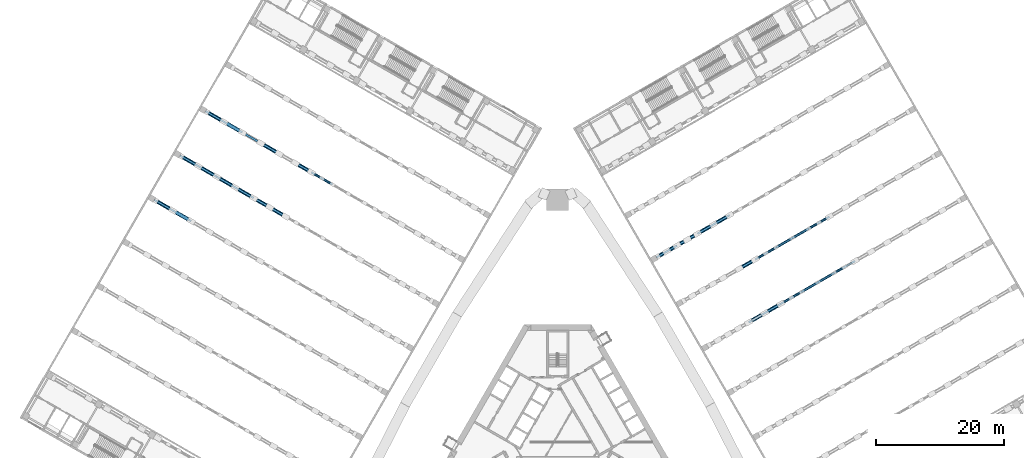
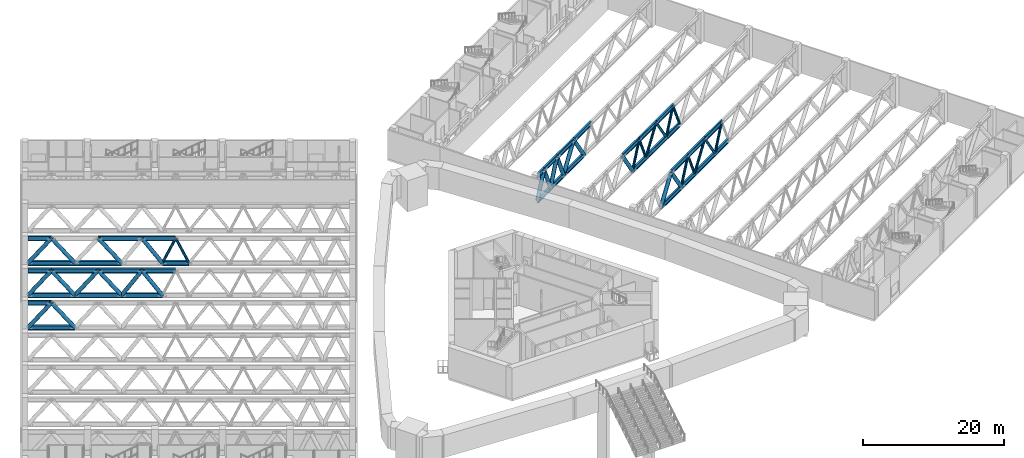
# One storey, part 6 of 37: 69 members.
"""IFC4 building model written with IfcOpenShell, lengths in metres."""

import ifcopenshell
import ifcopenshell.guid

model = None  # the IFC model being written
_history = None  # IfcOwnerHistory: only IFC2X3 demands one
_inside = {}  # id of a spatial element -> (the spatial element, [elements in it])
_under = {}  # id of a project, library or spatial element -> (it, [spatial elements below it])
_declared = {}  # id of a project -> (the project, [libraries it declares])
_typed = {}  # id of a type object -> (the type object, [elements of that type])
_made_of = {}  # id of a material, layer set ... -> (it, [elements and type objects made of it])


def new_model(schema):
    """Start an empty IFC model of exactly this schema.

    Asked for "IFC4X3", IfcOpenShell would pick the latest addendum, in which some entities
    have other attributes; the version numbers below select the first issue.
    IFC2X3 requires an IfcOwnerHistory on every rooted entity: one is made here for all.
    """
    global model, _history
    if schema == "IFC4X3":
        model = ifcopenshell.file(schema_version=(4, 3, 0, 0))
    else:
        model = ifcopenshell.file(schema=schema)
    _inside.clear()
    _under.clear()
    _declared.clear()
    _typed.clear()
    _made_of.clear()
    _history = None
    if model.schema == "IFC2X3":
        org = make("IfcOrganization", Name="unknown")
        user = make(
            "IfcPersonAndOrganization",
            ThePerson=make("IfcPerson", FamilyName="unknown"),
            TheOrganization=org,
        )
        app = make(
            "IfcApplication",
            ApplicationDeveloper=org,
            Version="unknown",
            ApplicationFullName="unknown",
            ApplicationIdentifier="unknown",
        )
        _history = make(
            "IfcOwnerHistory",
            OwningUser=user,
            OwningApplication=app,
            ChangeAction="ADDED",
            CreationDate=0,
        )
    return model


def make(cls, **values):
    """One entity of the class cls with the attributes given. An attribute that is None is left unset."""
    return model.create_entity(
        cls, **{name: value for name, value in values.items() if value is not None}
    )


def rooted(cls, **values):
    """An entity with a GlobalId (a new one), such as an element, a storey or a relation."""
    return make(cls, GlobalId=ifcopenshell.guid.new(), OwnerHistory=_history, **values)


def si_unit(unit_type, name, prefix=None):
    """IfcSIUnit, for example si_unit("LENGTHUNIT", "METRE", prefix="MILLI")."""
    return make("IfcSIUnit", UnitType=unit_type, Prefix=prefix, Name=name)


def assignment(units):
    """IfcUnitAssignment: the units of a project."""
    return None if units is None else make("IfcUnitAssignment", Units=units)


def point(xyz):
    """IfcCartesianPoint."""
    return None if xyz is None else make("IfcCartesianPoint", Coordinates=xyz)


def direction(xyz):
    """IfcDirection."""
    return None if xyz is None else make("IfcDirection", DirectionRatios=xyz)


def frame(location, z_axis=None, x_axis=None):
    """IfcAxis2Placement3D, a coordinate frame: its origin and axes. An axis left out is left unset."""
    return make(
        "IfcAxis2Placement3D",
        Location=point(location),
        Axis=direction(z_axis),
        RefDirection=direction(x_axis),
    )


def frame_2d(location, x_axis=None):
    """IfcAxis2Placement2D, a coordinate frame in the plane: its origin and x axis."""
    return make(
        "IfcAxis2Placement2D", Location=point(location), RefDirection=direction(x_axis)
    )


def origin():
    """The frame at (0, 0, 0) with its axes left unset."""
    return frame((0.0, 0.0, 0.0))


def origin_2d():
    """The frame at (0, 0) in the plane with its x axis left unset."""
    return frame_2d((0.0, 0.0))


def place(relative_to, where):
    """IfcLocalPlacement: puts the frame where relative to a parent placement (None: the world)."""
    return make(
        "IfcLocalPlacement", PlacementRelTo=relative_to, RelativePlacement=where
    )


def context(
    kind, dimensions, precision=None, world=None, true_north=None, identifier=None
):
    """IfcGeometricRepresentationContext, for example the 3D "Model" context."""
    return make(
        "IfcGeometricRepresentationContext",
        ContextIdentifier=identifier,
        ContextType=kind,
        CoordinateSpaceDimension=dimensions,
        Precision=precision,
        WorldCoordinateSystem=world,
        TrueNorth=true_north,
    )


def subcontext(parent, identifier, kind, view, scale=None):
    """IfcGeometricRepresentationSubContext, for example "Body" below "Model"."""
    return make(
        "IfcGeometricRepresentationSubContext",
        ContextIdentifier=identifier,
        ContextType=kind,
        ParentContext=parent,
        TargetScale=scale,
        TargetView=view,
    )


def project(units=None, contexts=None):
    """IfcProject with its units and contexts."""
    return rooted(
        "IfcProject",
        Name="project",
        RepresentationContexts=contexts,
        UnitsInContext=assignment(units),
    )


def spatial(cls, under=None, at=None, **own):
    """A site, building, storey or space (cls), placed at a placement, below another one or the project."""
    s = rooted(cls, ObjectPlacement=at, **own)
    if under is not None:
        _under.setdefault(under.id(), (under, []))[1].append(s)
    return s


def profile(cls, at=None, kind="AREA", **sizes):
    """A parametric profile (cls). Its sizes go by their IFC names, for example OverallWidth=200.0."""
    return make(cls, ProfileType=kind, Position=at, **sizes)


def hollow_circle(**sizes):
    """IfcCircleHollowProfileDef."""
    return profile("IfcCircleHollowProfileDef", **sizes)


def i_section(**sizes):
    """IfcIShapeProfileDef."""
    return profile("IfcIShapeProfileDef", **sizes)


def extrude(swept, where, along, depth):
    """IfcExtrudedAreaSolid: the profile swept, set in the frame where, extruded along a direction by depth."""
    return make(
        "IfcExtrudedAreaSolid",
        SweptArea=swept,
        Position=where,
        ExtrudedDirection=direction(along),
        Depth=depth,
    )


def shape(context_of_items, identifier, shape_type, items):
    """IfcShapeRepresentation: the items that make up one representation, for example the "Body"."""
    return make(
        "IfcShapeRepresentation",
        ContextOfItems=context_of_items,
        RepresentationIdentifier=identifier,
        RepresentationType=shape_type,
        Items=items,
    )


def material(Name=None, Category=None):
    """IfcMaterial."""
    return make("IfcMaterial", Name=Name, Category=Category)


def material_profile(
    of_material, cross_section, Name=None, Category=None, Priority=None
):
    """IfcMaterialProfile: a cross section and its material."""
    return make(
        "IfcMaterialProfile",
        Name=Name,
        Material=of_material,
        Profile=cross_section,
        Priority=Priority,
        Category=Category,
    )


def profile_set(profiles, Name=None, composite=None):
    """IfcMaterialProfileSet."""
    return make(
        "IfcMaterialProfileSet",
        Name=Name,
        MaterialProfiles=profiles,
        CompositeProfile=composite,
    )


def made_of(thing, what):
    """Note that an element or type object is made of a material, layer set ...; save() writes the relation."""
    if what is not None:
        _made_of.setdefault(what.id(), (what, []))[1].append(thing)
    return thing


def type_object(cls, material=None, **own):
    """A type object (cls), such as IfcWallType, which elements share."""
    return made_of(rooted(cls, **own), material)


def element(
    cls,
    number,
    at=None,
    inside=None,
    cuts=None,
    type_object=None,
    material=None,
    context=None,
    identifier="Body",
    shape_type=None,
    held_by="IfcProductDefinitionShape",
    body=None,
    shapes=None,
    **own,
):
    """One element of the class cls, such as IfcWall. Its Tag is "e" and its number.

    at: its placement. inside: the storey or other place that contains it. cuts: it is an
    opening in that element (IfcRelVoidsElement). A single representation is given by context,
    identifier, shape_type and body (its items); several are given by shapes. held_by: the class
    of the entity that holds the representations. save() writes the other relations.
    """
    e = rooted(cls, Tag="e%d" % number, ObjectPlacement=at, **own)
    if body is not None:
        shapes = [shape(context, identifier, shape_type, body)]
    if shapes is not None:
        e.Representation = make(held_by, Representations=shapes)
    if inside is not None:
        _inside.setdefault(inside.id(), (inside, []))[1].append(e)
    if cuts is not None:
        rooted(
            "IfcRelVoidsElement", RelatingBuildingElement=cuts, RelatedOpeningElement=e
        )
    if type_object is not None:
        _typed.setdefault(type_object.id(), (type_object, []))[1].append(e)
    return made_of(e, material)


def aggregate(whole, parts):
    """IfcRelAggregates: a whole, such as a stair, and the parts it consists of."""
    return rooted("IfcRelAggregates", RelatingObject=whole, RelatedObjects=parts)


def save(model, path):
    """Write the relations noted so far, then the file.

    IfcRelAggregates (storeys below a building ...), IfcRelContainedInSpatialStructure (elements
    in a storey), IfcRelDefinesByType, IfcRelAssociatesMaterial and IfcRelDeclares: one each for
    every whole, place, type object, material and project.
    """
    for whole, parts in _under.values():
        aggregate(whole, parts)
    for where, things in _inside.values():
        rooted(
            "IfcRelContainedInSpatialStructure",
            RelatedElements=things,
            RelatingStructure=where,
        )
    for kind, things in _typed.values():
        rooted("IfcRelDefinesByType", RelatedObjects=things, RelatingType=kind)
    for what, things in _made_of.values():
        rooted("IfcRelAssociatesMaterial", RelatedObjects=things, RelatingMaterial=what)
    for by, libraries in _declared.values():
        rooted("IfcRelDeclares", RelatingContext=by, RelatedDefinitions=libraries)
    model.write(path)


model = new_model("IFC4")

# Units and contexts
model_context = context("Model", 3, precision=1e-05, world=origin(), true_north=direction((0.0, 1.0)))
body_context = subcontext(model_context, "Body", "Model", "MODEL_VIEW")
ifc_project = project(units=[si_unit("LENGTHUNIT", "METRE"), si_unit("AREAUNIT", "SQUARE_METRE"), si_unit("VOLUMEUNIT", "CUBIC_METRE"), si_unit("PLANEANGLEUNIT", "RADIAN"), si_unit("MASSUNIT", "GRAM", prefix="KILO")], contexts=[model_context])

# Site, building, storey
site_placement = place(None, origin())
site = spatial("IfcSite", under=ifc_project, at=site_placement, CompositionType="ELEMENT")
building_placement = place(site_placement, origin())
building = spatial("IfcBuilding", under=site, at=building_placement, Name="Mestral Congress Tower", CompositionType="ELEMENT")
storey_placement = place(building_placement, frame((0.0, 0.0, 16.199951171875)))
storey = spatial("IfcBuildingStorey", under=building, at=storey_placement, Name="L03", CompositionType="ELEMENT", Elevation=16.199951171875)

# Members
ifc_material = material(Name="Steel S355", Category="steel")
ifc_material_profile_1 = material_profile(ifc_material, i_section(OverallWidth=0.300048828125, OverallDepth=0.800048828125, WebThickness=0.017578125, FlangeThickness=0.032958984375, FilletRadius=0.030029296875, at=origin_2d()), Name="HEB 800")
ifc_profile_set_1 = profile_set([ifc_material_profile_1], Name="Steel S355")
member_type_1 = type_object("IfcMemberType", Name="Truss chord HEB 800 S355", PredefinedType="CHORD", material=ifc_profile_set_1)
member_1_placement = place(storey_placement, frame((29.85888671875, 17.239013671875, 0.400146484375), z_axis=(0.866032775405, 0.499987231761, 0.0), x_axis=(-0.499987231761, 0.866032775405, 0.0)))
element("IfcMember", 1, at=member_1_placement, inside=storey, type_object=member_type_1, Name="MB-E-T5-BC03", PredefinedType="CHORD", context=body_context, shape_type="SweptSolid", body=[
    extrude(i_section(OverallWidth=0.300048828125, OverallDepth=0.800048828125, WebThickness=0.017578125, FlangeThickness=0.032958984375, FilletRadius=0.030029296875, at=origin_2d()), origin(), (0.0, 0.0, 1.0), 5.800048828125),
])
member_2_placement = place(storey_placement, frame((34.8818359375, 20.138916015625, 0.400146484375), z_axis=(0.866000483506, 0.500043160704, 0.0), x_axis=(-0.500043160704, 0.866000483506, 0.0)))
element("IfcMember", 2, at=member_2_placement, inside=storey, type_object=member_type_1, Name="MB-E-T5-BC04", PredefinedType="CHORD", context=body_context, shape_type="SweptSolid", body=[
    extrude(i_section(OverallWidth=0.300048828125, OverallDepth=0.800048828125, WebThickness=0.017578125, FlangeThickness=0.032958984375, FilletRadius=0.030029296875, at=origin_2d()), origin(), (0.0, 0.0, 1.0), 3.800048828125),
])
member_3_placement = place(storey_placement, frame((38.172607421875, 22.0390625, 0.400146484375), z_axis=(0.866032775405, 0.499987231761, 0.0), x_axis=(-0.499987231761, 0.866032775405, 0.0)))
element("IfcMember", 3, at=member_3_placement, inside=storey, type_object=member_type_1, Name="MB-E-T5-BC05", PredefinedType="CHORD", context=body_context, shape_type="SweptSolid", body=[
    extrude(i_section(OverallWidth=0.300048828125, OverallDepth=0.800048828125, WebThickness=0.017578125, FlangeThickness=0.032958984375, FilletRadius=0.030029296875, at=origin_2d()), origin(), (0.0, 0.0, 1.0), 5.800048828125),
])
member_4_placement = place(storey_placement, frame((43.195556640625, 24.93896484375, 0.400146484375), z_axis=(0.86601654697, 0.500015340139, 0.0), x_axis=(-0.500015340139, 0.86601654697, 0.0)))
element("IfcMember", 4, at=member_4_placement, inside=storey, type_object=member_type_1, Name="MB-E-T5-BC06", PredefinedType="CHORD", context=body_context, shape_type="SweptSolid", body=[
    extrude(i_section(OverallWidth=0.300048828125, OverallDepth=0.800048828125, WebThickness=0.017578125, FlangeThickness=0.032958984375, FilletRadius=0.030029296875, at=origin_2d()), origin(), (0.0, 0.0, 1.0), 3.80029296875),
])
member_5_placement = place(storey_placement, frame((32.370361328125, 18.68896484375, 4.699951171875), z_axis=(0.866002622515, 0.50003945624, 0.0), x_axis=(-0.50003945624, 0.866002622515, 0.0)))
element("IfcMember", 5, at=member_5_placement, inside=storey, type_object=member_type_1, Name="MB-E-T5-TC04", PredefinedType="CHORD", context=body_context, shape_type="SweptSolid", body=[
    extrude(i_section(OverallWidth=0.300048828125, OverallDepth=0.800048828125, WebThickness=0.017578125, FlangeThickness=0.032958984375, FilletRadius=0.030029296875, at=origin_2d()), origin(), (0.0, 0.0, 1.0), 4.7998046875),
])
for number, where, z_axis, x_axis, name in (
    (6, (36.527099609375, 21.089111328125, 4.699951171875), (0.866037363387, 0.499979284789, 0.0), (-0.499979284789, 0.866037363387, 0.0), "MB-E-T5-TC05"),
    (7, (40.68408203125, 23.489013671875, 4.699951171875), (0.866037363387, 0.499979284789, 0.0), (-0.499979284789, 0.866037363387, 0.0), "MB-E-T5-TC06"),
):
    element("IfcMember", number, at=place(storey_placement, frame(where, z_axis=z_axis, x_axis=x_axis)), inside=storey, type_object=member_type_1, Name=name, PredefinedType="CHORD", context=body_context, shape_type="SweptSolid", body=[
        extrude(i_section(OverallWidth=0.300048828125, OverallDepth=0.800048828125, WebThickness=0.017578125, FlangeThickness=0.032958984375, FilletRadius=0.030029296875, at=origin_2d()), origin(), (0.0, 0.0, 1.0), 4.800048828125),
    ])
member_6_placement = place(storey_placement, frame((30.8818359375, 27.067138671875, 0.400146484375), z_axis=(0.866000483506, 0.500043160704, 0.0), x_axis=(-0.500043160704, 0.866000483506, 0.0)))
element("IfcMember", 8, at=member_6_placement, inside=storey, type_object=member_type_1, Name="MB-E-T6-BC04", PredefinedType="CHORD", context=body_context, shape_type="SweptSolid", body=[
    extrude(i_section(OverallWidth=0.300048828125, OverallDepth=0.800048828125, WebThickness=0.017578125, FlangeThickness=0.032958984375, FilletRadius=0.030029296875, at=origin_2d()), origin(), (0.0, 0.0, 1.0), 3.800048828125),
])
member_7_placement = place(storey_placement, frame((34.172607421875, 28.96728515625, 0.400146484375), z_axis=(0.866032775405, 0.499987231761, 0.0), x_axis=(-0.499987231761, 0.866032775405, 0.0)))
element("IfcMember", 9, at=member_7_placement, inside=storey, type_object=member_type_1, Name="MB-E-T6-BC05", PredefinedType="CHORD", context=body_context, shape_type="SweptSolid", body=[
    extrude(i_section(OverallWidth=0.300048828125, OverallDepth=0.800048828125, WebThickness=0.017578125, FlangeThickness=0.032958984375, FilletRadius=0.030029296875, at=origin_2d()), origin(), (0.0, 0.0, 1.0), 5.800048828125),
])
member_8_placement = place(storey_placement, frame((39.195556640625, 31.8671875, 0.400146484375), z_axis=(0.866044365799, 0.499967155389, 0.0), x_axis=(-0.499967155389, 0.866044365799, 0.0)))
element("IfcMember", 10, at=member_8_placement, inside=storey, type_object=member_type_1, Name="MB-E-T6-BC06", PredefinedType="CHORD", context=body_context, shape_type="SweptSolid", body=[
    extrude(i_section(OverallWidth=0.300048828125, OverallDepth=0.800048828125, WebThickness=0.017578125, FlangeThickness=0.032958984375, FilletRadius=0.030029296875, at=origin_2d()), origin(), (0.0, 0.0, 1.0), 3.800048828125),
])
member_9_placement = place(storey_placement, frame((28.370361328125, 25.6171875, 4.699951171875), z_axis=(0.866024647952, 0.500001309137, 0.0), x_axis=(-0.500001309137, 0.866024647952, 0.0)))
element("IfcMember", 11, at=member_9_placement, inside=storey, type_object=member_type_1, Name="MB-E-T6-TC04", PredefinedType="CHORD", context=body_context, shape_type="SweptSolid", body=[
    extrude(i_section(OverallWidth=0.300048828125, OverallDepth=0.800048828125, WebThickness=0.017578125, FlangeThickness=0.032958984375, FilletRadius=0.030029296875, at=origin_2d()), origin(), (0.0, 0.0, 1.0), 4.7998046875),
])
for number, where, z_axis, x_axis, name in (
    (12, (32.527099609375, 28.01708984375, 4.699951171875), (0.866015339567, 0.500017431331, 0.0), (-0.500017431331, 0.866015339567, 0.0), "MB-E-T6-TC05"),
    (13, (36.68408203125, 30.417236328125, 4.699951171875), (0.866037363387, 0.499979284789, 0.0), (-0.499979284789, 0.866037363387, 0.0), "MB-E-T6-TC06"),
):
    element("IfcMember", number, at=place(storey_placement, frame(where, z_axis=z_axis, x_axis=x_axis)), inside=storey, type_object=member_type_1, Name=name, PredefinedType="CHORD", context=body_context, shape_type="SweptSolid", body=[
        extrude(i_section(OverallWidth=0.300048828125, OverallDepth=0.800048828125, WebThickness=0.017578125, FlangeThickness=0.032958984375, FilletRadius=0.030029296875, at=origin_2d()), origin(), (0.0, 0.0, 1.0), 4.800048828125),
    ])
member_10_placement = place(storey_placement, frame((15.4501953125, 27.3955078125, 0.400146484375), z_axis=(0.866046040199, 0.499964254978, 0.0), x_axis=(-0.499964254978, 0.866046040199, 0.0)))
element("IfcMember", 14, at=member_10_placement, inside=storey, type_object=member_type_1, Name="MB-E-T7-BC01", PredefinedType="CHORD", context=body_context, shape_type="SweptSolid", body=[
    extrude(i_section(OverallWidth=0.300048828125, OverallDepth=0.800048828125, WebThickness=0.017578125, FlangeThickness=0.032958984375, FilletRadius=0.030029296875, at=origin_2d()), origin(), (0.0, 0.0, 1.0), 3.699951171875),
])
member_11_placement = place(storey_placement, frame((18.654541015625, 29.245361328125, 0.400146484375), z_axis=(0.86601746898, 0.500013743233, 0.0), x_axis=(-0.500013743233, 0.86601746898, 0.0)))
element("IfcMember", 15, at=member_11_placement, inside=storey, type_object=member_type_1, Name="MB-E-T7-BC02", PredefinedType="CHORD", context=body_context, shape_type="SweptSolid", body=[
    extrude(i_section(OverallWidth=0.300048828125, OverallDepth=0.800048828125, WebThickness=0.017578125, FlangeThickness=0.032958984375, FilletRadius=0.030029296875, at=origin_2d()), origin(), (0.0, 0.0, 1.0), 3.7001953125),
])
member_12_placement = place(storey_placement, frame((21.85888671875, 31.095458984375, 0.400146484375), z_axis=(0.866032775405, 0.499987231761, 0.0), x_axis=(-0.499987231761, 0.866032775405, 0.0)))
element("IfcMember", 16, at=member_12_placement, inside=storey, type_object=member_type_1, Name="MB-E-T7-BC03", PredefinedType="CHORD", context=body_context, shape_type="SweptSolid", body=[
    extrude(i_section(OverallWidth=0.300048828125, OverallDepth=0.800048828125, WebThickness=0.017578125, FlangeThickness=0.032958984375, FilletRadius=0.030029296875, at=origin_2d()), origin(), (0.0, 0.0, 1.0), 5.800048828125),
])
member_13_placement = place(storey_placement, frame((15.4501953125, 27.3955078125, 4.699951171875), z_axis=(0.866091100096, 0.499886193382, 0.0), x_axis=(-0.499886193382, 0.866091100096, 0.0)))
element("IfcMember", 17, at=member_13_placement, inside=storey, type_object=member_type_1, Name="MB-E-T7-TC01", PredefinedType="CHORD", context=body_context, shape_type="SweptSolid", body=[
    extrude(i_section(OverallWidth=0.300048828125, OverallDepth=0.800048828125, WebThickness=0.017578125, FlangeThickness=0.032958984375, FilletRadius=0.030029296875, at=origin_2d()), origin(), (0.0, 0.0, 1.0), 1.85009765625),
])
member_14_placement = place(storey_placement, frame((17.052490234375, 28.3203125, 4.699951171875), z_axis=(0.866000971088, 0.500042316284, 0.0), x_axis=(-0.500042316284, 0.866000971088, 0.0)))
element("IfcMember", 18, at=member_14_placement, inside=storey, type_object=member_type_1, Name="MB-E-T7-TC02", PredefinedType="CHORD", context=body_context, shape_type="SweptSolid", body=[
    extrude(i_section(OverallWidth=0.300048828125, OverallDepth=0.800048828125, WebThickness=0.017578125, FlangeThickness=0.032958984375, FilletRadius=0.030029296875, at=origin_2d()), origin(), (0.0, 0.0, 1.0), 3.699951171875),
])
member_15_placement = place(storey_placement, frame((20.256591796875, 30.17041015625, 4.699951171875), z_axis=(0.866033238375, 0.499986429846, 0.0), x_axis=(-0.499986429846, 0.866033238375, 0.0)))
element("IfcMember", 19, at=member_15_placement, inside=storey, type_object=member_type_1, Name="MB-E-T7-TC03", PredefinedType="CHORD", context=body_context, shape_type="SweptSolid", body=[
    extrude(i_section(OverallWidth=0.300048828125, OverallDepth=0.800048828125, WebThickness=0.017578125, FlangeThickness=0.032958984375, FilletRadius=0.030029296875, at=origin_2d()), origin(), (0.0, 0.0, 1.0), 4.750244140625),
])
member_16_placement = place(storey_placement, frame((24.370361328125, 32.54541015625, 4.699951171875), z_axis=(0.866024647952, 0.500001309137, 0.0), x_axis=(-0.500001309137, 0.866024647952, 0.0)))
element("IfcMember", 20, at=member_16_placement, inside=storey, type_object=member_type_1, Name="MB-E-T7-TC04", PredefinedType="CHORD", context=body_context, shape_type="SweptSolid", body=[
    extrude(i_section(OverallWidth=0.300048828125, OverallDepth=0.800048828125, WebThickness=0.017578125, FlangeThickness=0.032958984375, FilletRadius=0.030029296875, at=origin_2d()), origin(), (0.0, 0.0, 1.0), 4.7998046875),
])
member_17_placement = place(storey_placement, frame((-35.195556640625, 38.79541015625, 0.400146484375), z_axis=(-0.866044365799, 0.499967155389, 0.0), x_axis=(-0.499967155389, -0.866044365799, 0.0)))
element("IfcMember", 21, at=member_17_placement, inside=storey, type_object=member_type_1, Name="MB-W-T3-BC06", PredefinedType="CHORD", context=body_context, shape_type="SweptSolid", body=[
    extrude(i_section(OverallWidth=0.300048828125, OverallDepth=0.800048828125, WebThickness=0.017578125, FlangeThickness=0.032958984375, FilletRadius=0.030029296875, at=origin_2d()), origin(), (0.0, 0.0, 1.0), 3.800048828125),
])
for number, where, z_axis, x_axis, name in (
    (22, (-43.509521484375, 43.595458984375, 0.400146484375), (-0.866027239912, 0.49999681972, 0.0), (-0.49999681972, -0.866027239912, 0.0), "MB-W-T3-BC08"),
    (23, (-49.2685546875, 46.92041015625, 0.400146484375), (-0.866027239912, 0.49999681972, 0.0), (-0.49999681972, -0.866027239912, 0.0), "MB-W-T3-BC09"),
):
    element("IfcMember", number, at=place(storey_placement, frame(where, z_axis=z_axis, x_axis=x_axis)), inside=storey, type_object=member_type_1, Name=name, PredefinedType="CHORD", context=body_context, shape_type="SweptSolid", body=[
        extrude(i_section(OverallWidth=0.300048828125, OverallDepth=0.800048828125, WebThickness=0.017578125, FlangeThickness=0.032958984375, FilletRadius=0.030029296875, at=origin_2d()), origin(), (0.0, 0.0, 1.0), 6.64990234375),
    ])
member_18_placement = place(storey_placement, frame((-36.841064453125, 39.745361328125, 4.699951171875), z_axis=(-0.866015339567, 0.500017431331, 0.0), x_axis=(-0.500017431331, -0.866015339567, 0.0)))
element("IfcMember", 24, at=member_18_placement, inside=storey, type_object=member_type_1, Name="MB-W-T3-TC07", PredefinedType="CHORD", context=body_context, shape_type="SweptSolid", body=[
    extrude(i_section(OverallWidth=0.300048828125, OverallDepth=0.800048828125, WebThickness=0.017578125, FlangeThickness=0.032958984375, FilletRadius=0.030029296875, at=origin_2d()), origin(), (0.0, 0.0, 1.0), 4.800048828125),
])
member_19_placement = place(storey_placement, frame((-40.998046875, 42.1455078125, 4.699951171875), z_axis=(-0.866033407698, 0.499986136558, 0.0), x_axis=(-0.499986136558, -0.866033407698, 0.0)))
element("IfcMember", 25, at=member_19_placement, inside=storey, type_object=member_type_1, Name="MB-W-T3-TC08", PredefinedType="CHORD", context=body_context, shape_type="SweptSolid", body=[
    extrude(i_section(OverallWidth=0.300048828125, OverallDepth=0.800048828125, WebThickness=0.017578125, FlangeThickness=0.032958984375, FilletRadius=0.030029296875, at=origin_2d()), origin(), (0.0, 0.0, 1.0), 6.224853515625),
])
member_20_placement = place(storey_placement, frame((-52.148193359375, 48.5830078125, 4.699951171875), z_axis=(-0.866033959199, 0.499985181294, 0.0), x_axis=(-0.499985181294, -0.866033959199, 0.0)))
element("IfcMember", 26, at=member_20_placement, inside=storey, type_object=member_type_1, Name="MB-W-T3-TC10", PredefinedType="CHORD", context=body_context, shape_type="SweptSolid", body=[
    extrude(i_section(OverallWidth=0.300048828125, OverallDepth=0.800048828125, WebThickness=0.017578125, FlangeThickness=0.032958984375, FilletRadius=0.030029296875, at=origin_2d()), origin(), (0.0, 0.0, 1.0), 3.32470703125),
])
member_21_placement = place(storey_placement, frame((-42.486572265625, 33.76708984375, 0.400146484375), z_axis=(-0.86601454848, 0.500018801468, 0.0), x_axis=(-0.500018801468, -0.86601454848, 0.0)))
element("IfcMember", 27, at=member_21_placement, inside=storey, type_object=member_type_1, Name="MB-W-T4-BC07", PredefinedType="CHORD", context=body_context, shape_type="SweptSolid", body=[
    extrude(i_section(OverallWidth=0.300048828125, OverallDepth=0.800048828125, WebThickness=0.017578125, FlangeThickness=0.032958984375, FilletRadius=0.030029296875, at=origin_2d()), origin(), (0.0, 0.0, 1.0), 5.800048828125),
])
for number, where, z_axis, x_axis, name in (
    (28, (-47.509521484375, 36.667236328125, 0.400146484375), (-0.866027239912, 0.49999681972, 0.0), (-0.49999681972, -0.866027239912, 0.0), "MB-W-T4-BC08"),
    (29, (-53.2685546875, 39.9921875, 0.400146484375), (-0.866027239912, 0.49999681972, 0.0), (-0.49999681972, -0.866027239912, 0.0), "MB-W-T4-BC09"),
):
    element("IfcMember", number, at=place(storey_placement, frame(where, z_axis=z_axis, x_axis=x_axis)), inside=storey, type_object=member_type_1, Name=name, PredefinedType="CHORD", context=body_context, shape_type="SweptSolid", body=[
        extrude(i_section(OverallWidth=0.300048828125, OverallDepth=0.800048828125, WebThickness=0.017578125, FlangeThickness=0.032958984375, FilletRadius=0.030029296875, at=origin_2d()), origin(), (0.0, 0.0, 1.0), 6.64990234375),
    ])
member_22_placement = place(storey_placement, frame((-40.841064453125, 32.817138671875, 4.699951171875), z_axis=(-0.866015339567, 0.500017431331, 0.0), x_axis=(-0.500017431331, -0.866015339567, 0.0)))
element("IfcMember", 30, at=member_22_placement, inside=storey, type_object=member_type_1, Name="MB-W-T4-TC07", PredefinedType="CHORD", context=body_context, shape_type="SweptSolid", body=[
    extrude(i_section(OverallWidth=0.300048828125, OverallDepth=0.800048828125, WebThickness=0.017578125, FlangeThickness=0.032958984375, FilletRadius=0.030029296875, at=origin_2d()), origin(), (0.0, 0.0, 1.0), 4.800048828125),
])
member_23_placement = place(storey_placement, frame((-44.998046875, 35.21728515625, 4.699951171875), z_axis=(-0.866033407698, 0.499986136558, 0.0), x_axis=(-0.499986136558, -0.866033407698, 0.0)))
element("IfcMember", 31, at=member_23_placement, inside=storey, type_object=member_type_1, Name="MB-W-T4-TC08", PredefinedType="CHORD", context=body_context, shape_type="SweptSolid", body=[
    extrude(i_section(OverallWidth=0.300048828125, OverallDepth=0.800048828125, WebThickness=0.017578125, FlangeThickness=0.032958984375, FilletRadius=0.030029296875, at=origin_2d()), origin(), (0.0, 0.0, 1.0), 6.224853515625),
])
member_24_placement = place(storey_placement, frame((-50.388916015625, 38.32958984375, 4.699951171875), z_axis=(-0.866020521143, 0.500008456887, 0.0), x_axis=(-0.500008456887, -0.866020521143, 0.0)))
element("IfcMember", 32, at=member_24_placement, inside=storey, type_object=member_type_1, Name="MB-W-T4-TC09", PredefinedType="CHORD", context=body_context, shape_type="SweptSolid", body=[
    extrude(i_section(OverallWidth=0.300048828125, OverallDepth=0.800048828125, WebThickness=0.017578125, FlangeThickness=0.032958984375, FilletRadius=0.030029296875, at=origin_2d()), origin(), (0.0, 0.0, 1.0), 6.650390625),
])
member_25_placement = place(storey_placement, frame((-56.148193359375, 41.65478515625, 4.699951171875), z_axis=(-0.866033959199, 0.499985181294, 0.0), x_axis=(-0.499985181294, -0.866033959199, 0.0)))
element("IfcMember", 33, at=member_25_placement, inside=storey, type_object=member_type_1, Name="MB-W-T4-TC10", PredefinedType="CHORD", context=body_context, shape_type="SweptSolid", body=[
    extrude(i_section(OverallWidth=0.300048828125, OverallDepth=0.800048828125, WebThickness=0.017578125, FlangeThickness=0.032958984375, FilletRadius=0.030029296875, at=origin_2d()), origin(), (0.0, 0.0, 1.0), 3.32470703125),
])
member_26_placement = place(storey_placement, frame((-57.2685546875, 33.06396484375, 0.400146484375), z_axis=(-0.866027239912, 0.49999681972, 0.0), x_axis=(-0.49999681972, -0.866027239912, 0.0)))
element("IfcMember", 34, at=member_26_placement, inside=storey, type_object=member_type_1, Name="MB-W-T5-BC09", PredefinedType="CHORD", context=body_context, shape_type="SweptSolid", body=[
    extrude(i_section(OverallWidth=0.300048828125, OverallDepth=0.800048828125, WebThickness=0.017578125, FlangeThickness=0.032958984375, FilletRadius=0.030029296875, at=origin_2d()), origin(), (0.0, 0.0, 1.0), 6.64990234375),
])
member_27_placement = place(storey_placement, frame((-60.148193359375, 34.7265625, 4.699951171875), z_axis=(-0.866033959199, 0.499985181294, 0.0), x_axis=(-0.499985181294, -0.866033959199, 0.0)))
element("IfcMember", 35, at=member_27_placement, inside=storey, type_object=member_type_1, Name="MB-W-T5-TC10", PredefinedType="CHORD", context=body_context, shape_type="SweptSolid", body=[
    extrude(i_section(OverallWidth=0.300048828125, OverallDepth=0.800048828125, WebThickness=0.017578125, FlangeThickness=0.032958984375, FilletRadius=0.030029296875, at=origin_2d()), origin(), (0.0, 0.0, 1.0), 3.32470703125),
])
ifc_material_profile_2 = material_profile(ifc_material, hollow_circle(Radius=0.203125, WallThickness=0.01611328125, at=origin_2d()), Name="CHS 406.4x16")
ifc_profile_set_2 = profile_set([ifc_material_profile_2], Name="Steel S355")
member_type_2 = type_object("IfcMemberType", Name="Truss diagonal CHS 406.4x16 S355", PredefinedType="BRACE", material=ifc_profile_set_2)
for number, where, z_axis, x_axis, name in (
    (36, (34.8818359375, 20.138916015625, 0.400146484375), (0.349992064898, 0.202132232762, 0.914684707966), (-0.500119165741, 0.865956592479, 0.0), "MB-E-T5-D07"),
    (37, (36.527099609375, 21.089111328125, 4.699951171875), (0.350041311257, 0.202078745119, -0.914677681582), (-0.499967155389, 0.866044365799, 0.0), "MB-E-T5-D08"),
):
    element("IfcMember", number, at=place(storey_placement, frame(where, z_axis=z_axis, x_axis=x_axis)), inside=storey, type_object=member_type_2, Name=name, PredefinedType="BRACE", context=body_context, shape_type="SweptSolid", body=[
        extrude(hollow_circle(Radius=0.203125, WallThickness=0.01611328125, at=origin_2d()), origin(), (0.0, 0.0, 1.0), 4.700927734375),
    ])
for number, where, z_axis, x_axis, name in (
    (38, (38.172607421875, 22.0390625, 0.400146484375), (0.484247420666, 0.279570859467, 0.829062464544), (-0.499987231761, 0.866032775405, 0.0), "MB-E-T5-D09"),
    (39, (40.68408203125, 23.489013671875, 4.699951171875), (0.484247420666, 0.279570859467, -0.829062464544), (-0.499987231761, 0.866032775405, 0.0), "MB-E-T5-D10"),
):
    element("IfcMember", number, at=place(storey_placement, frame(where, z_axis=z_axis, x_axis=x_axis)), inside=storey, type_object=member_type_2, Name=name, PredefinedType="BRACE", context=body_context, shape_type="SweptSolid", body=[
        extrude(hollow_circle(Radius=0.203125, WallThickness=0.01611328125, at=origin_2d()), origin(), (0.0, 0.0, 1.0), 5.186279296875),
    ])
for number, where, z_axis, x_axis, name in (
    (40, (43.195556640625, 24.93896484375, 0.400146484375), (0.350041311257, 0.202078745119, 0.914677681582), (-0.499967155389, 0.866044365799, 0.0), "MB-E-T5-D11"),
    (41, (30.8818359375, 27.067138671875, 0.400146484375), (0.349995738631, 0.20208241861, 0.914694309061), (-0.500022797313, 0.86601224135, 0.0), "MB-E-T6-D07"),
    (42, (32.527099609375, 28.01708984375, 4.699951171875), (0.35003763718, 0.202128558443, -0.914668081011), (-0.500063520245, 0.865988727248, 0.0), "MB-E-T6-D08"),
):
    element("IfcMember", number, at=place(storey_placement, frame(where, z_axis=z_axis, x_axis=x_axis)), inside=storey, type_object=member_type_2, Name=name, PredefinedType="BRACE", context=body_context, shape_type="SweptSolid", body=[
        extrude(hollow_circle(Radius=0.203125, WallThickness=0.01611328125, at=origin_2d()), origin(), (0.0, 0.0, 1.0), 4.700927734375),
    ])
for number, where, z_axis, x_axis, name in (
    (43, (34.172607421875, 28.96728515625, 0.400146484375), (0.484247420666, 0.279570859467, 0.829062464544), (-0.499987231761, 0.866032775405, 0.0), "MB-E-T6-D09"),
    (44, (36.68408203125, 30.417236328125, 4.699951171875), (0.484247420666, 0.279570859467, -0.829062464544), (-0.499987231761, 0.866032775405, 0.0), "MB-E-T6-D10"),
):
    element("IfcMember", number, at=place(storey_placement, frame(where, z_axis=z_axis, x_axis=x_axis)), inside=storey, type_object=member_type_2, Name=name, PredefinedType="BRACE", context=body_context, shape_type="SweptSolid", body=[
        extrude(hollow_circle(Radius=0.203125, WallThickness=0.01611328125, at=origin_2d()), origin(), (0.0, 0.0, 1.0), 5.186279296875),
    ])
for number, where, z_axis, x_axis, name in (
    (45, (39.195556640625, 31.8671875, 0.400146484375), (0.350041311257, 0.202078745119, 0.914677681582), (-0.499967155389, 0.866044365799, 0.0), "MB-E-T6-D11"),
    (46, (40.841064453125, 32.817138671875, 4.699951171875), (0.350041311257, 0.202078745119, -0.914677681582), (-0.499967155389, 0.866044365799, 0.0), "MB-E-T6-D12"),
    (47, (-35.195556640625, 38.79541015625, 0.400146484375), (-0.350041311257, 0.202078745119, 0.914677681582), (-0.499967155389, -0.866044365799, 0.0), "MB-W-T3-D11"),
    (48, (-36.841064453125, 39.745361328125, 4.699951171875), (-0.350041311257, 0.202078745119, -0.914677681582), (-0.499967155389, -0.866044365799, 0.0), "MB-W-T3-D12"),
):
    element("IfcMember", number, at=place(storey_placement, frame(where, z_axis=z_axis, x_axis=x_axis)), inside=storey, type_object=member_type_2, Name=name, PredefinedType="BRACE", context=body_context, shape_type="SweptSolid", body=[
        extrude(hollow_circle(Radius=0.203125, WallThickness=0.01611328125, at=origin_2d()), origin(), (0.0, 0.0, 1.0), 4.700927734375),
    ])
ifc_material_profile_3 = material_profile(ifc_material, hollow_circle(Radius=0.304931640625, WallThickness=0.02490234375, at=origin_2d()), Name="CHS 610x25")
ifc_profile_set_3 = profile_set([ifc_material_profile_3], Name="Steel S355")
member_type_3 = type_object("IfcMemberType", Name="Truss diagonal CHS 610x25 S355", PredefinedType="BRACE", material=ifc_profile_set_3)
for number, where, z_axis, x_axis, name in (
    (49, (29.85888671875, 17.239013671875, 0.400146484375), (0.484247420666, 0.279570859467, 0.829062464544), (-0.499987231761, 0.866032775405, 0.0), "MB-E-T5-D05"),
    (50, (32.370361328125, 18.68896484375, 4.699951171875), (0.484247420666, 0.279570859467, -0.829062464544), (-0.499987231761, 0.866032775405, 0.0), "MB-E-T5-D06"),
    (51, (28.370361328125, 25.6171875, 4.699951171875), (0.484247420666, 0.279570859467, -0.829062464544), (-0.499987231761, 0.866032775405, 0.0), "MB-E-T6-D06"),
):
    element("IfcMember", number, at=place(storey_placement, frame(where, z_axis=z_axis, x_axis=x_axis)), inside=storey, type_object=member_type_3, Name=name, PredefinedType="BRACE", context=body_context, shape_type="SweptSolid", body=[
        extrude(hollow_circle(Radius=0.304931640625, WallThickness=0.02490234375, at=origin_2d()), origin(), (0.0, 0.0, 1.0), 5.186279296875),
    ])
for number, where, z_axis, x_axis, name in (
    (52, (15.4501953125, 27.3955078125, 0.400146484375), (0.342304036233, 0.197569356887, 0.918582764914), (-0.499886193382, 0.866091100096, 0.0), "MB-E-T7-D01"),
    (53, (17.052490234375, 28.3203125, 4.699951171875), (0.342254462306, 0.197623004828, -0.91858969676), (-0.500042316284, 0.866000971088, 0.0), "MB-E-T7-D02"),
    (54, (18.654541015625, 29.245361328125, 0.400146484375), (0.342254462306, 0.197623004828, 0.91858969676), (-0.500042316284, 0.866000971088, 0.0), "MB-E-T7-D03"),
    (55, (20.256591796875, 30.17041015625, 4.699951171875), (0.342300508531, 0.197619476889, -0.918573298226), (-0.499985172903, 0.866033964044, 0.0), "MB-E-T7-D04"),
):
    element("IfcMember", number, at=place(storey_placement, frame(where, z_axis=z_axis, x_axis=x_axis)), inside=storey, type_object=member_type_3, Name=name, PredefinedType="BRACE", context=body_context, shape_type="SweptSolid", body=[
        extrude(hollow_circle(Radius=0.304931640625, WallThickness=0.02490234375, at=origin_2d()), origin(), (0.0, 0.0, 1.0), 4.680908203125),
    ])
for number, where, z_axis, x_axis, name in (
    (56, (21.85888671875, 31.095458984375, 0.400146484375), (0.484247420666, 0.279570859467, 0.829062464544), (-0.499987231761, 0.866032775405, 0.0), "MB-E-T7-D05"),
    (57, (24.370361328125, 32.54541015625, 4.699951171875), (0.484247420666, 0.279570859467, -0.829062464544), (-0.499987231761, 0.866032775405, 0.0), "MB-E-T7-D06"),
):
    element("IfcMember", number, at=place(storey_placement, frame(where, z_axis=z_axis, x_axis=x_axis)), inside=storey, type_object=member_type_3, Name=name, PredefinedType="BRACE", context=body_context, shape_type="SweptSolid", body=[
        extrude(hollow_circle(Radius=0.304931640625, WallThickness=0.02490234375, at=origin_2d()), origin(), (0.0, 0.0, 1.0), 5.186279296875),
    ])
member_28_placement = place(storey_placement, frame((-38.486572265625, 40.6953125, 0.400146484375), z_axis=(-0.484241047345, 0.27961425306, 0.829051553012), x_axis=(-0.50005036918, -0.865996321171, 0.0)))
element("IfcMember", 58, at=member_28_placement, inside=storey, type_object=member_type_3, Name="MB-W-T3-D13", PredefinedType="BRACE", context=body_context, shape_type="SweptSolid", body=[
    extrude(hollow_circle(Radius=0.304931640625, WallThickness=0.02490234375, at=origin_2d()), origin(), (0.0, 0.0, 1.0), 5.1865234375),
])
member_29_placement = place(storey_placement, frame((-43.509521484375, 43.595458984375, 0.400146484375), z_axis=(-0.529756669385, 0.305843069514, 0.791086523759), x_axis=(-0.499985181294, -0.866033959199, 0.0)))
element("IfcMember", 59, at=member_29_placement, inside=storey, type_object=member_type_3, Name="MB-W-T3-D15", PredefinedType="BRACE", context=body_context, shape_type="SweptSolid", body=[
    extrude(hollow_circle(Radius=0.304931640625, WallThickness=0.02490234375, at=origin_2d()), origin(), (0.0, 0.0, 1.0), 5.435302734375),
])
member_30_placement = place(storey_placement, frame((-49.2685546875, 46.92041015625, 0.400146484375), z_axis=(-0.52978170185, 0.305876506113, 0.791056831961), x_axis=(-0.500008456887, -0.866020521143, 0.0)))
element("IfcMember", 60, at=member_30_placement, inside=storey, type_object=member_type_3, Name="MB-W-T3-D17", PredefinedType="BRACE", context=body_context, shape_type="SweptSolid", body=[
    extrude(hollow_circle(Radius=0.304931640625, WallThickness=0.02490234375, at=origin_2d()), origin(), (0.0, 0.0, 1.0), 5.435546875),
])
member_31_placement = place(storey_placement, frame((-52.148193359375, 48.5830078125, 4.699951171875), z_axis=(-0.529756669385, 0.305843069514, -0.791086523759), x_axis=(-0.499985181294, -0.866033959199, 0.0)))
element("IfcMember", 61, at=member_31_placement, inside=storey, type_object=member_type_3, Name="MB-W-T3-D18", PredefinedType="BRACE", context=body_context, shape_type="SweptSolid", body=[
    extrude(hollow_circle(Radius=0.304931640625, WallThickness=0.02490234375, at=origin_2d()), origin(), (0.0, 0.0, 1.0), 5.435302734375),
])
member_32_placement = place(storey_placement, frame((-42.486572265625, 33.76708984375, 0.400146484375), z_axis=(-0.484241047345, 0.27961425306, 0.829051553012), x_axis=(-0.50005036918, -0.865996321171, 0.0)))
element("IfcMember", 62, at=member_32_placement, inside=storey, type_object=member_type_3, Name="MB-W-T4-D13", PredefinedType="BRACE", context=body_context, shape_type="SweptSolid", body=[
    extrude(hollow_circle(Radius=0.304931640625, WallThickness=0.02490234375, at=origin_2d()), origin(), (0.0, 0.0, 1.0), 5.1865234375),
])
member_33_placement = place(storey_placement, frame((-44.998046875, 35.21728515625, 4.699951171875), z_axis=(-0.484247420666, 0.279570859467, -0.829062464544), x_axis=(-0.499987231761, -0.866032775405, 0.0)))
element("IfcMember", 63, at=member_33_placement, inside=storey, type_object=member_type_3, Name="MB-W-T4-D14", PredefinedType="BRACE", context=body_context, shape_type="SweptSolid", body=[
    extrude(hollow_circle(Radius=0.304931640625, WallThickness=0.02490234375, at=origin_2d()), origin(), (0.0, 0.0, 1.0), 5.186279296875),
])
member_34_placement = place(storey_placement, frame((-47.509521484375, 36.667236328125, 0.400146484375), z_axis=(-0.529756669385, 0.305843069514, 0.791086523759), x_axis=(-0.499985181294, -0.866033959199, 0.0)))
element("IfcMember", 64, at=member_34_placement, inside=storey, type_object=member_type_3, Name="MB-W-T4-D15", PredefinedType="BRACE", context=body_context, shape_type="SweptSolid", body=[
    extrude(hollow_circle(Radius=0.304931640625, WallThickness=0.02490234375, at=origin_2d()), origin(), (0.0, 0.0, 1.0), 5.435302734375),
])
for number, where, z_axis, x_axis, name in (
    (65, (-50.388916015625, 38.32958984375, 4.699951171875), (-0.52978170185, 0.305876506113, -0.791056831961), (-0.500008456887, -0.866020521143, 0.0), "MB-W-T4-D16"),
    (66, (-53.2685546875, 39.9921875, 0.400146484375), (-0.52978170185, 0.305876506113, 0.791056831961), (-0.500008456887, -0.866020521143, 0.0), "MB-W-T4-D17"),
):
    element("IfcMember", number, at=place(storey_placement, frame(where, z_axis=z_axis, x_axis=x_axis)), inside=storey, type_object=member_type_3, Name=name, PredefinedType="BRACE", context=body_context, shape_type="SweptSolid", body=[
        extrude(hollow_circle(Radius=0.304931640625, WallThickness=0.02490234375, at=origin_2d()), origin(), (0.0, 0.0, 1.0), 5.435546875),
    ])
member_35_placement = place(storey_placement, frame((-56.148193359375, 41.65478515625, 4.699951171875), z_axis=(-0.529756669385, 0.305843069514, -0.791086523759), x_axis=(-0.499985181294, -0.866033959199, 0.0)))
element("IfcMember", 67, at=member_35_placement, inside=storey, type_object=member_type_3, Name="MB-W-T4-D18", PredefinedType="BRACE", context=body_context, shape_type="SweptSolid", body=[
    extrude(hollow_circle(Radius=0.304931640625, WallThickness=0.02490234375, at=origin_2d()), origin(), (0.0, 0.0, 1.0), 5.435302734375),
])
member_36_placement = place(storey_placement, frame((-57.2685546875, 33.06396484375, 0.400146484375), z_axis=(-0.52978170185, 0.305876506113, 0.791056831961), x_axis=(-0.500008456887, -0.866020521143, 0.0)))
element("IfcMember", 68, at=member_36_placement, inside=storey, type_object=member_type_3, Name="MB-W-T5-D17", PredefinedType="BRACE", context=body_context, shape_type="SweptSolid", body=[
    extrude(hollow_circle(Radius=0.304931640625, WallThickness=0.02490234375, at=origin_2d()), origin(), (0.0, 0.0, 1.0), 5.435546875),
])
member_37_placement = place(storey_placement, frame((-60.148193359375, 34.7265625, 4.699951171875), z_axis=(-0.529756669385, 0.305843069514, -0.791086523759), x_axis=(-0.499985181294, -0.866033959199, 0.0)))
element("IfcMember", 69, at=member_37_placement, inside=storey, type_object=member_type_3, Name="MB-W-T5-D18", PredefinedType="BRACE", context=body_context, shape_type="SweptSolid", body=[
    extrude(hollow_circle(Radius=0.304931640625, WallThickness=0.02490234375, at=origin_2d()), origin(), (0.0, 0.0, 1.0), 5.435302734375),
])

save(model, "model.ifc")
